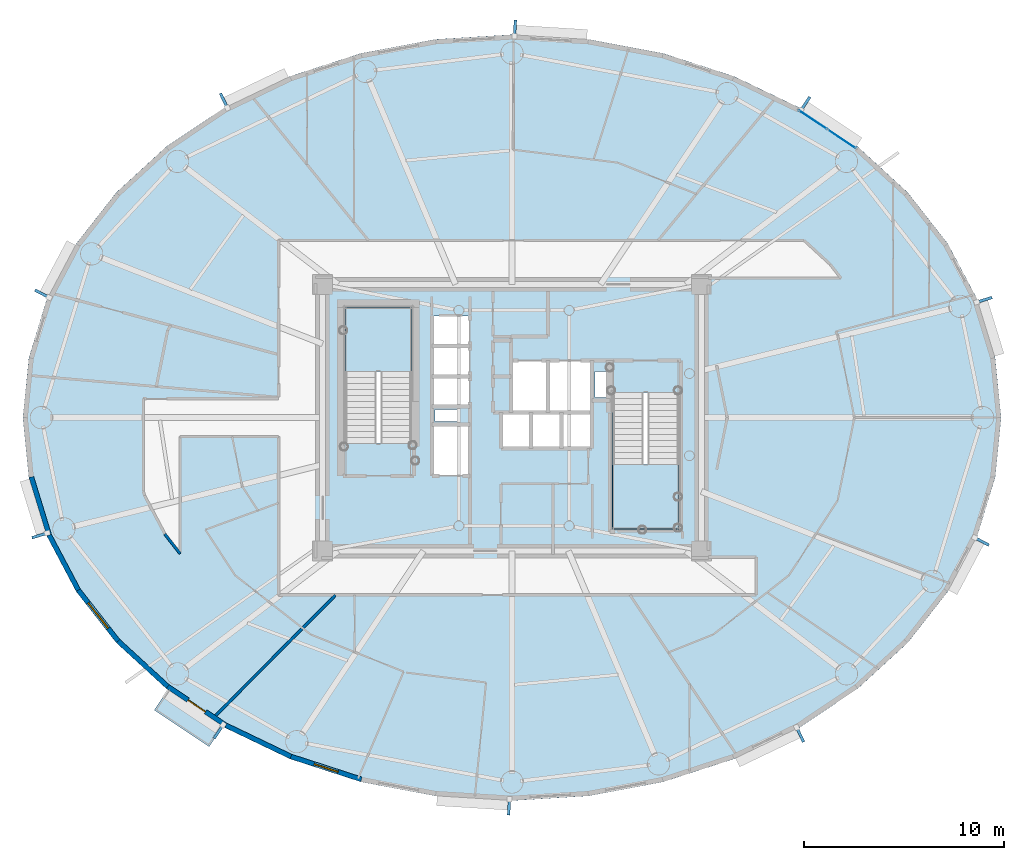
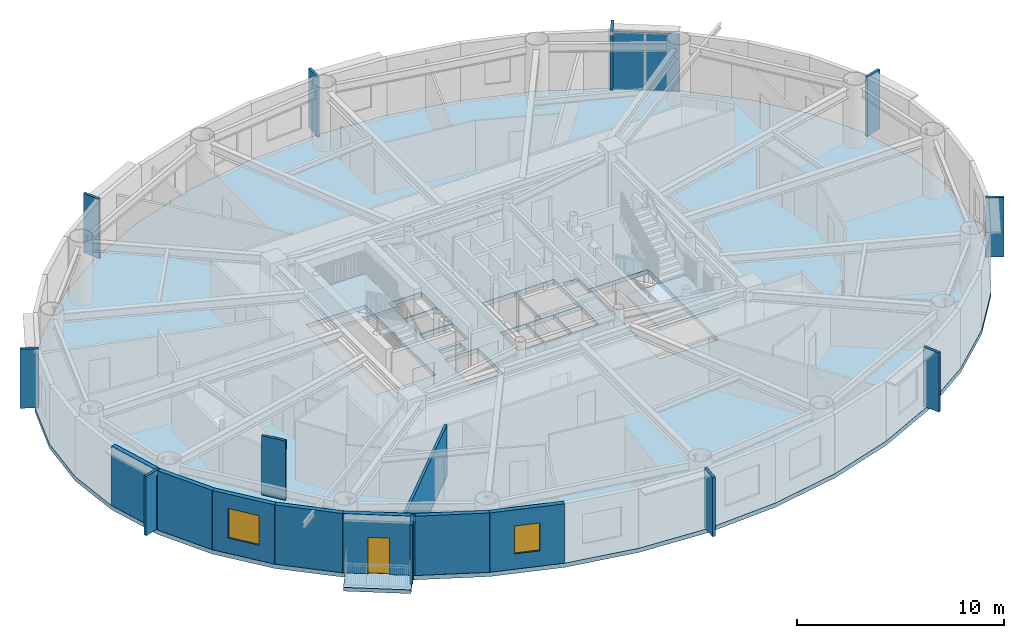
# One storey, part 6 of 18: 12 plates, 9 walls, 4 slabs, 2 windows, 1 door, 3 openings, 3 elements without a shape of their own.
"""IFC4 building model written with IfcOpenShell, lengths in metres."""

import ifcopenshell
import ifcopenshell.guid

model = None  # the IFC model being written
_history = None  # IfcOwnerHistory: only IFC2X3 demands one
_inside = {}  # id of a spatial element -> (the spatial element, [elements in it])
_under = {}  # id of a project, library or spatial element -> (it, [spatial elements below it])
_declared = {}  # id of a project -> (the project, [libraries it declares])
_typed = {}  # id of a type object -> (the type object, [elements of that type])
_made_of = {}  # id of a material, layer set ... -> (it, [elements and type objects made of it])


def new_model(schema):
    """Start an empty IFC model of exactly this schema.

    Asked for "IFC4X3", IfcOpenShell would pick the latest addendum, in which some entities
    have other attributes; the version numbers below select the first issue.
    IFC2X3 requires an IfcOwnerHistory on every rooted entity: one is made here for all.
    """
    global model, _history
    if schema == "IFC4X3":
        model = ifcopenshell.file(schema_version=(4, 3, 0, 0))
    else:
        model = ifcopenshell.file(schema=schema)
    _inside.clear()
    _under.clear()
    _declared.clear()
    _typed.clear()
    _made_of.clear()
    _history = None
    if model.schema == "IFC2X3":
        org = make("IfcOrganization", Name="unknown")
        user = make(
            "IfcPersonAndOrganization",
            ThePerson=make("IfcPerson", FamilyName="unknown"),
            TheOrganization=org,
        )
        app = make(
            "IfcApplication",
            ApplicationDeveloper=org,
            Version="unknown",
            ApplicationFullName="unknown",
            ApplicationIdentifier="unknown",
        )
        _history = make(
            "IfcOwnerHistory",
            OwningUser=user,
            OwningApplication=app,
            ChangeAction="ADDED",
            CreationDate=0,
        )
    return model


def make(cls, **values):
    """One entity of the class cls with the attributes given. An attribute that is None is left unset."""
    return model.create_entity(
        cls, **{name: value for name, value in values.items() if value is not None}
    )


def rooted(cls, **values):
    """An entity with a GlobalId (a new one), such as an element, a storey or a relation."""
    return make(cls, GlobalId=ifcopenshell.guid.new(), OwnerHistory=_history, **values)


def si_unit(unit_type, name, prefix=None):
    """IfcSIUnit, for example si_unit("LENGTHUNIT", "METRE", prefix="MILLI")."""
    return make("IfcSIUnit", UnitType=unit_type, Prefix=prefix, Name=name)


def assignment(units):
    """IfcUnitAssignment: the units of a project."""
    return None if units is None else make("IfcUnitAssignment", Units=units)


def point(xyz):
    """IfcCartesianPoint."""
    return None if xyz is None else make("IfcCartesianPoint", Coordinates=xyz)


def direction(xyz):
    """IfcDirection."""
    return None if xyz is None else make("IfcDirection", DirectionRatios=xyz)


def frame(location, z_axis=None, x_axis=None):
    """IfcAxis2Placement3D, a coordinate frame: its origin and axes. An axis left out is left unset."""
    return make(
        "IfcAxis2Placement3D",
        Location=point(location),
        Axis=direction(z_axis),
        RefDirection=direction(x_axis),
    )


def frame_2d(location, x_axis=None):
    """IfcAxis2Placement2D, a coordinate frame in the plane: its origin and x axis."""
    return make(
        "IfcAxis2Placement2D", Location=point(location), RefDirection=direction(x_axis)
    )


def origin():
    """The frame at (0, 0, 0) with its axes left unset."""
    return frame((0.0, 0.0, 0.0))


def origin_2d():
    """The frame at (0, 0) in the plane with its x axis left unset."""
    return frame_2d((0.0, 0.0))


def place(relative_to, where):
    """IfcLocalPlacement: puts the frame where relative to a parent placement (None: the world)."""
    return make(
        "IfcLocalPlacement", PlacementRelTo=relative_to, RelativePlacement=where
    )


def context(
    kind, dimensions, precision=None, world=None, true_north=None, identifier=None
):
    """IfcGeometricRepresentationContext, for example the 3D "Model" context."""
    return make(
        "IfcGeometricRepresentationContext",
        ContextIdentifier=identifier,
        ContextType=kind,
        CoordinateSpaceDimension=dimensions,
        Precision=precision,
        WorldCoordinateSystem=world,
        TrueNorth=true_north,
    )


def subcontext(parent, identifier, kind, view, scale=None):
    """IfcGeometricRepresentationSubContext, for example "Body" below "Model"."""
    return make(
        "IfcGeometricRepresentationSubContext",
        ContextIdentifier=identifier,
        ContextType=kind,
        ParentContext=parent,
        TargetScale=scale,
        TargetView=view,
    )


def project(units=None, contexts=None):
    """IfcProject with its units and contexts."""
    return rooted(
        "IfcProject",
        Name="project",
        RepresentationContexts=contexts,
        UnitsInContext=assignment(units),
    )


def spatial(cls, under=None, at=None, **own):
    """A site, building, storey or space (cls), placed at a placement, below another one or the project."""
    s = rooted(cls, ObjectPlacement=at, **own)
    if under is not None:
        _under.setdefault(under.id(), (under, []))[1].append(s)
    return s


def polyline(points):
    """IfcPolyline through the points."""
    return make("IfcPolyline", Points=[point(p) for p in points])


def profile(cls, at=None, kind="AREA", **sizes):
    """A parametric profile (cls). Its sizes go by their IFC names, for example OverallWidth=200.0."""
    return make(cls, ProfileType=kind, Position=at, **sizes)


def rectangle(**sizes):
    """IfcRectangleProfileDef."""
    return profile("IfcRectangleProfileDef", **sizes)


def outline(outer, holes=None, kind="AREA"):
    """IfcArbitraryClosedProfileDef: a profile drawn as a closed curve; with holes, ...WithVoids."""
    if holes is None:
        return make("IfcArbitraryClosedProfileDef", ProfileType=kind, OuterCurve=outer)
    return make(
        "IfcArbitraryProfileDefWithVoids",
        ProfileType=kind,
        OuterCurve=outer,
        InnerCurves=holes,
    )


def extrude(swept, where, along, depth):
    """IfcExtrudedAreaSolid: the profile swept, set in the frame where, extruded along a direction by depth."""
    return make(
        "IfcExtrudedAreaSolid",
        SweptArea=swept,
        Position=where,
        ExtrudedDirection=direction(along),
        Depth=depth,
    )


def shape(context_of_items, identifier, shape_type, items):
    """IfcShapeRepresentation: the items that make up one representation, for example the "Body"."""
    return make(
        "IfcShapeRepresentation",
        ContextOfItems=context_of_items,
        RepresentationIdentifier=identifier,
        RepresentationType=shape_type,
        Items=items,
    )


def source(mapping_origin, context_of_items, identifier, shape_type, items):
    """IfcRepresentationMap: a shape defined once, which mapped items show again and again."""
    return make(
        "IfcRepresentationMap",
        MappingOrigin=mapping_origin,
        MappedRepresentation=shape(context_of_items, identifier, shape_type, items),
    )


def transform(
    local_origin,
    x_axis=None,
    y_axis=None,
    z_axis=None,
    scale=None,
    scale2=None,
    scale3=None,
    uniform=True,
):
    """IfcCartesianTransformationOperator3D, or its non-uniform kind. x_axis, y_axis, z_axis: its Axis1, 2, 3."""
    if uniform:
        return make(
            "IfcCartesianTransformationOperator3D",
            Axis1=direction(x_axis),
            Axis2=direction(y_axis),
            LocalOrigin=point(local_origin),
            Scale=scale,
            Axis3=direction(z_axis),
        )
    return make(
        "IfcCartesianTransformationOperator3DnonUniform",
        Axis1=direction(x_axis),
        Axis2=direction(y_axis),
        LocalOrigin=point(local_origin),
        Scale=scale,
        Axis3=direction(z_axis),
        Scale2=scale2,
        Scale3=scale3,
    )


def mapped(mapping_source, mapping_target):
    """IfcMappedItem: shows the shape of a source again, moved by a transform."""
    return make(
        "IfcMappedItem", MappingSource=mapping_source, MappingTarget=mapping_target
    )


def material(Name=None, Category=None):
    """IfcMaterial."""
    return make("IfcMaterial", Name=Name, Category=Category)


def layer(
    of_material, thickness, ventilated=None, Name=None, Category=None, Priority=None
):
    """IfcMaterialLayer: one layer of a wall or slab, of a material (None: an air gap)."""
    return make(
        "IfcMaterialLayer",
        Material=of_material,
        LayerThickness=thickness,
        IsVentilated=ventilated,
        Name=Name,
        Category=Category,
        Priority=Priority,
    )


def layer_set(layers, Name=None):
    """IfcMaterialLayerSet."""
    return make("IfcMaterialLayerSet", MaterialLayers=layers, LayerSetName=Name)


def made_of(thing, what):
    """Note that an element or type object is made of a material, layer set ...; save() writes the relation."""
    if what is not None:
        _made_of.setdefault(what.id(), (what, []))[1].append(thing)
    return thing


def type_object(cls, material=None, **own):
    """A type object (cls), such as IfcWallType, which elements share."""
    return made_of(rooted(cls, **own), material)


def element(
    cls,
    number,
    at=None,
    inside=None,
    cuts=None,
    type_object=None,
    material=None,
    context=None,
    identifier="Body",
    shape_type=None,
    held_by="IfcProductDefinitionShape",
    body=None,
    shapes=None,
    **own,
):
    """One element of the class cls, such as IfcWall. Its Tag is "e" and its number.

    at: its placement. inside: the storey or other place that contains it. cuts: it is an
    opening in that element (IfcRelVoidsElement). A single representation is given by context,
    identifier, shape_type and body (its items); several are given by shapes. held_by: the class
    of the entity that holds the representations. save() writes the other relations.
    """
    e = rooted(cls, Tag="e%d" % number, ObjectPlacement=at, **own)
    if body is not None:
        shapes = [shape(context, identifier, shape_type, body)]
    if shapes is not None:
        e.Representation = make(held_by, Representations=shapes)
    if inside is not None:
        _inside.setdefault(inside.id(), (inside, []))[1].append(e)
    if cuts is not None:
        rooted(
            "IfcRelVoidsElement", RelatingBuildingElement=cuts, RelatedOpeningElement=e
        )
    if type_object is not None:
        _typed.setdefault(type_object.id(), (type_object, []))[1].append(e)
    return made_of(e, material)


def fill(opening, filler):
    """IfcRelFillsElement: the door or window that sits in an opening."""
    return rooted(
        "IfcRelFillsElement",
        RelatingOpeningElement=opening,
        RelatedBuildingElement=filler,
    )


def aggregate(whole, parts):
    """IfcRelAggregates: a whole, such as a stair, and the parts it consists of."""
    return rooted("IfcRelAggregates", RelatingObject=whole, RelatedObjects=parts)


def save(model, path):
    """Write the relations noted so far, then the file.

    IfcRelAggregates (storeys below a building ...), IfcRelContainedInSpatialStructure (elements
    in a storey), IfcRelDefinesByType, IfcRelAssociatesMaterial and IfcRelDeclares: one each for
    every whole, place, type object, material and project.
    """
    for whole, parts in _under.values():
        aggregate(whole, parts)
    for where, things in _inside.values():
        rooted(
            "IfcRelContainedInSpatialStructure",
            RelatedElements=things,
            RelatingStructure=where,
        )
    for kind, things in _typed.values():
        rooted("IfcRelDefinesByType", RelatedObjects=things, RelatingType=kind)
    for what, things in _made_of.values():
        rooted("IfcRelAssociatesMaterial", RelatedObjects=things, RelatingMaterial=what)
    for by, libraries in _declared.values():
        rooted("IfcRelDeclares", RelatingContext=by, RelatedDefinitions=libraries)
    model.write(path)


model = new_model("IFC4")

# Units and contexts
model_context = context("Model", 3, precision=1e-05, world=origin(), true_north=direction((0.0, 1.0)))
body_context = subcontext(model_context, "Body", "Model", "MODEL_VIEW")
ifc_project = project(units=[si_unit("LENGTHUNIT", "METRE"), si_unit("AREAUNIT", "SQUARE_METRE"), si_unit("VOLUMEUNIT", "CUBIC_METRE"), si_unit("PLANEANGLEUNIT", "RADIAN"), si_unit("MASSUNIT", "GRAM", prefix="KILO")], contexts=[model_context])

# Site, building, storey
site_placement = place(None, origin())
site = spatial("IfcSite", under=ifc_project, at=site_placement, CompositionType="ELEMENT")
building_placement = place(site_placement, origin())
building = spatial("IfcBuilding", under=site, at=building_placement, Name="Linh Dai School and Residence Tower", CompositionType="ELEMENT")
storey_placement = place(building_placement, frame((0.0, 0.0, 244.050048828125)))
storey = spatial("IfcBuildingStorey", under=building, at=storey_placement, Name="L60", CompositionType="ELEMENT", Elevation=244.050048828125)

# Slabs
ifc_material_1 = material(Name="Concrete B45 (C35/45)", Category="concrete")
ifc_layer_1 = layer(ifc_material_1, 0.219970703125)
ifc_layer_set_1 = layer_set([ifc_layer_1], Name="Concrete B45 (C35/45)")
slab_type_1 = type_object("IfcSlabType", Name="SLB-BALC-220", PredefinedType="FLOOR", material=ifc_layer_set_1)
slab_1_placement = place(storey_placement, frame((0.0, 0.0, -0.219970703125)))
element("IfcSlab", 1, at=slab_1_placement, inside=storey, type_object=slab_type_1, Name="L60 Sliding Balcony Slab 26", PredefinedType="FLOOR", context=body_context, shape_type="SweptSolid", body=[
    extrude(outline(polyline([(21.61181640625, 11.670654296875), (18.8818359375, 13.49609375), (18.1591796875, 12.41552734375), (20.88916015625, 10.58984375), (21.61181640625, 11.670654296875)])), origin(), (0.0, 0.0, 1.0), 0.219970703125),
])
ifc_layer_2 = layer(ifc_material_1, 0.25)
ifc_layer_set_2 = layer_set([ifc_layer_2], Name="Concrete B45 (C35/45)")
slab_type_2 = type_object("IfcSlabType", Name="SLB-FLR250", PredefinedType="FLOOR", material=ifc_layer_set_2)
slab_2_placement = place(storey_placement, frame((0.0, 0.0, -0.25)))
element("IfcSlab", 2, at=slab_2_placement, inside=storey, type_object=slab_type_2, Name="L60 Composite Structural Floor Slab", PredefinedType="FLOOR", context=body_context, shape_type="SweptSolid", body=[
    extrude(outline(polyline([(60.39990234375, 27.0), (60.099609375, 29.98876953125), (59.205810546875, 32.90380859375), (57.740478515625, 35.673583984375), (55.739990234375, 38.229736328125), (53.25341796875, 40.50927734375), (50.342041015625, 42.456298828125), (47.077392578125, 44.022705078125), (43.5400390625, 45.169921875), (39.81689453125, 45.869873046875), (36.0, 46.10498046875), (32.18310546875, 45.869873046875), (28.4599609375, 45.169921875), (24.922607421875, 44.022705078125), (21.657958984375, 42.456298828125), (18.74658203125, 40.50927734375), (16.260009765625, 38.229736328125), (14.259521484375, 35.673583984375), (12.794189453125, 32.90380859375), (11.900390625, 29.98876953125), (11.60009765625, 27.0), (11.900390625, 24.01123046875), (12.794189453125, 21.09619140625), (14.259521484375, 18.326416015625), (16.260009765625, 15.770263671875), (18.74658203125, 13.49072265625), (21.657958984375, 11.543701171875), (24.922607421875, 9.977294921875), (28.4599609375, 8.830078125), (32.18310546875, 8.130126953125), (36.0, 7.89501953125), (39.81689453125, 8.130126953125), (43.5400390625, 8.830078125), (47.077392578125, 9.977294921875), (50.342041015625, 11.543701171875), (53.25341796875, 13.49072265625), (55.739990234375, 15.770263671875), (57.740478515625, 18.326416015625), (59.205810546875, 21.09619140625), (60.099609375, 24.01123046875), (60.39990234375, 27.0)]), holes=[polyline([(30.97998046875, 25.699951171875), (30.97998046875, 32.5), (27.679931640625, 32.5), (27.679931640625, 25.699951171875), (30.97998046875, 25.699951171875)]), polyline([(41.02001953125, 28.25), (41.02001953125, 21.449951171875), (44.320068359375, 21.449951171875), (44.320068359375, 28.25), (41.02001953125, 28.25)]), polyline([(35.97998046875, 27.280029296875), (37.77001953125, 27.280029296875), (37.77001953125, 29.820068359375), (35.97998046875, 29.820068359375), (35.97998046875, 27.280029296875)]), polyline([(32.030029296875, 24.1298828125), (33.8701171875, 24.1298828125), (33.8701171875, 26.6201171875), (32.030029296875, 26.6201171875), (32.030029296875, 24.1298828125)]), polyline([(37.830078125, 27.280029296875), (39.969970703125, 27.280029296875), (39.969970703125, 29.820068359375), (37.830078125, 29.820068359375), (37.830078125, 27.280029296875)]), polyline([(32.030029296875, 27.580078125), (33.8701171875, 27.580078125), (33.8701171875, 29.030029296875), (32.030029296875, 29.030029296875), (32.030029296875, 27.580078125)]), polyline([(32.030029296875, 29.090087890625), (33.8701171875, 29.090087890625), (33.8701171875, 30.550048828125), (32.030029296875, 30.550048828125), (32.030029296875, 29.090087890625)]), polyline([(32.030029296875, 30.610107421875), (33.8701171875, 30.610107421875), (33.8701171875, 32.070068359375), (32.030029296875, 32.070068359375), (32.030029296875, 30.610107421875)]), polyline([(35.47998046875, 25.47998046875), (36.929931640625, 25.47998046875), (36.929931640625, 27.219970703125), (35.47998046875, 27.219970703125), (35.47998046875, 25.47998046875)]), polyline([(36.989990234375, 25.47998046875), (38.449951171875, 25.47998046875), (38.449951171875, 27.219970703125), (36.989990234375, 27.219970703125), (36.989990234375, 25.47998046875)]), polyline([(38.510009765625, 25.47998046875), (39.969970703125, 25.47998046875), (39.969970703125, 27.219970703125), (38.510009765625, 27.219970703125), (38.510009765625, 25.47998046875)]), polyline([(40.14990234375, 28.0), (40.14990234375, 29.300048828125), (41.0, 29.300048828125), (41.0, 28.280029296875), (40.989990234375, 28.280029296875), (40.989990234375, 28.0), (40.14990234375, 28.0)]), polyline([(32.14990234375, 26.800048828125), (33.35009765625, 26.800048828125), (33.35009765625, 27.39990234375), (32.14990234375, 27.39990234375), (32.14990234375, 26.800048828125)])]), origin(), (0.0, 0.0, 1.0), 0.25),
])

# Stair, slab
stair_type = type_object("IfcStairType", Name="ST-DOG-1550-R1442", PredefinedType="HALF_TURN_STAIR", material=ifc_material_1)
stair_1_placement = place(storey_placement, origin())
stair_1 = element("IfcStair", 3, at=stair_1_placement, inside=storey, type_object=stair_type, Name="L60 Core Smokeproof Exit Stair ST1", PredefinedType="HALF_TURN_STAIR")
ifc_layer_3 = layer(ifc_material_1, 0.199951171875)
ifc_layer_set_3 = layer_set([ifc_layer_3], Name="Concrete B45 (C35/45)")
slab_type_3 = type_object("IfcSlabType", Name="SLB-ST-LANDING-200", PredefinedType="LANDING", material=ifc_layer_set_3)
slab_3_placement = place(storey_placement, frame((0.0, 0.0, 1.675048828125)))
slab_3 = element("IfcSlab", 4, at=slab_3_placement, type_object=slab_type_3, Name="ST1 landing 1", PredefinedType="LANDING", context=body_context, shape_type="SweptSolid", body=[
    extrude(outline(polyline([(30.97998046875, 29.300048828125), (30.97998046875, 32.5), (27.679931640625, 32.5), (27.679931640625, 29.300048828125), (30.97998046875, 29.300048828125)])), origin(), (0.0, 0.0, 1.0), 0.199951171875),
])
aggregate(stair_1, [slab_3])

stair_2_placement = place(storey_placement, origin())
stair_2 = element("IfcStair", 5, at=stair_2_placement, inside=storey, type_object=stair_type, Name="L60 Core Smokeproof Exit Stair ST2", PredefinedType="HALF_TURN_STAIR")
slab_4_placement = place(storey_placement, frame((0.0, 0.0, 1.675048828125)))
slab_4 = element("IfcSlab", 6, at=slab_4_placement, type_object=slab_type_3, Name="ST2 landing 1", PredefinedType="LANDING", context=body_context, shape_type="SweptSolid", body=[
    extrude(outline(polyline([(41.02001953125, 24.64990234375), (41.02001953125, 21.449951171875), (44.320068359375, 21.449951171875), (44.320068359375, 24.64990234375), (41.02001953125, 24.64990234375)])), origin(), (0.0, 0.0, 1.0), 0.199951171875),
])
aggregate(stair_2, [slab_4])

# Plates
ifc_material_2 = material(Name="Precast Concrete B45 (C35/45)", Category="concrete")
ifc_layer_4 = layer(ifc_material_2, 0.139892578125)
ifc_layer_set_4 = layer_set([ifc_layer_4], Name="Precast Concrete B45 (C35/45)")
plate_type_1 = type_object("IfcPlateType", Name="FIN-TC-900x140", PredefinedType="USERDEFINED", material=ifc_layer_set_4)
shared_shape_1 = source(origin(), body_context, "Body", "SweptSolid", [
    extrude(rectangle(XDim=0.89990234375, YDim=0.139892578125, at=origin_2d()), origin(), (0.0, 0.0, 1.0), 3.5),
])
for number, where, z_axis, x_axis, name in (
    (7, (59.517578125, 32.861328125, 0.0), (0.0, 0.0, 1.0), (0.956064190994, 0.2931574026, 0.0), "L60 Precast Terracotta Radial Fin 02"),
    (8, (50.60791015625, 42.621826171875, 0.0), (0.0, 0.0, 1.0), (0.555887222025, 0.831257719597, 0.0), "L60 Precast Terracotta Radial Fin 06"),
    (9, (36.14501953125, 46.3818359375, 0.0), (0.0, 0.0, 1.0), (0.061504437922, 0.998106809974, 0.0), "L60 Precast Terracotta Radial Fin 10"),
    (10, (21.650634765625, 42.769287109375, 0.0), (0.0, 0.0, 1.0), (-0.432593941973, 0.901588864931, 0.0), "L60 Precast Terracotta Radial Fin 14"),
    (11, (12.603271484375, 33.153564453125, 0.0), (0.0, 0.0, 1.0), (-0.883928950783, 0.467621224891, 0.0), "L60 Precast Terracotta Radial Fin 18"),
    (12, (12.482421875, 21.138671875, 0.0), (0.0, 0.0, 1.0), (-0.956064190994, -0.2931574026, 0.0), "L60 Precast Terracotta Radial Fin 22"),
    (13, (21.39208984375, 11.378173828125, 0.0), (0.0, 0.0, 1.0), (-0.555887222025, -0.831257719597, 0.0), "L60 Precast Terracotta Radial Fin 26"),
    (14, (35.85498046875, 7.6181640625, 0.0), (0.0, 0.0, 1.0), (-0.061504437922, -0.998106809974, 0.0), "L60 Precast Terracotta Radial Fin 30"),
    (15, (50.349365234375, 11.230712890625, 0.0), (0.0, 0.0, 1.0), (0.432593941973, -0.901588864931, 0.0), "L60 Precast Terracotta Radial Fin 34"),
    (16, (59.396728515625, 20.846435546875, 0.0), (0.0, 0.0, 1.0), (0.883928950783, -0.467621224891, 0.0), "L60 Precast Terracotta Radial Fin 38"),
):
    element("IfcPlate", number, at=place(storey_placement, frame(where, z_axis=z_axis, x_axis=x_axis)), inside=storey, type_object=plate_type_1, Name=name, ObjectType="RADIAL FIN", PredefinedType="USERDEFINED", context=body_context, shape_type="MappedRepresentation", body=[
        mapped(shared_shape_1, transform((0.0, 0.0, 0.0), x_axis=(1.0, 0.0, 0.0), y_axis=(0.0, 1.0, 0.0), z_axis=(0.0, 0.0, 1.0), scale=1.0)),
    ])

# Curtain wall, plates
ifc_material_3 = material(Name="Aluminium Anodised Curtain Wall", Category="aluminium")
ifc_layer_5 = layer(ifc_material_3, 0.14990234375)
ifc_layer_set_5 = layer_set([ifc_layer_5], Name="Aluminium Anodised Curtain Wall")
curtain_wall_type = type_object("IfcCurtainWallType", Name="CW-SYS-4", PredefinedType="USERDEFINED", material=ifc_layer_set_5)
curtain_wall_placement = place(storey_placement, origin())
curtain_wall = element("IfcCurtainWall", 17, at=curtain_wall_placement, inside=storey, type_object=curtain_wall_type, Name="L60 CW4 Curtain Wall 06", ObjectType="RIBBON CURTAIN WALL", PredefinedType="USERDEFINED")
ifc_material_4 = material(Name="Double Low-E Insulated Glazing", Category="glass")
ifc_layer_6 = layer(ifc_material_4, 0.02587890625)
ifc_layer_set_6 = layer_set([ifc_layer_6], Name="Double Low-E Insulated Glazing")
plate_type_2 = type_object("IfcPlateType", Name="CW-SYS-4-PAN", PredefinedType="CURTAIN_PANEL", material=ifc_layer_set_6)
shared_shape_2 = source(origin(), body_context, "Body", "SweptSolid", [
    extrude(rectangle(XDim=1.6640625, YDim=0.02587890625, at=origin_2d()), origin(), (0.0, 0.0, 1.0), 3.39599609375),
])
plate_1_placement = place(storey_placement, frame((51.014892578125, 41.856201171875, 0.052001953125), z_axis=(0.0, 0.0, 1.0), x_axis=(0.831257719597, -0.555887222025, 0.0)))
plate_1 = element("IfcPlate", 18, at=plate_1_placement, type_object=plate_type_2, Name="CW4 panel 1.1", PredefinedType="CURTAIN_PANEL", context=body_context, shape_type="MappedRepresentation", body=[
    mapped(shared_shape_2, transform((0.0, 0.0, 0.0), x_axis=(1.0, 0.0, 0.0), y_axis=(0.0, 1.0, 0.0), z_axis=(0.0, 0.0, 1.0), scale=1.0)),
])
plate_2_placement = place(storey_placement, frame((52.44140625, 40.90234375, 0.052001953125), z_axis=(0.0, 0.0, 1.0), x_axis=(0.831257719597, -0.555887222025, 0.0)))
plate_2 = element("IfcPlate", 19, at=plate_2_placement, type_object=plate_type_2, Name="CW4 panel 2.1", PredefinedType="CURTAIN_PANEL", context=body_context, shape_type="MappedRepresentation", body=[
    mapped(shared_shape_2, transform((0.0, 0.0, 0.0), x_axis=(1.0, 0.0, 0.0), y_axis=(0.0, 1.0, 0.0), z_axis=(0.0, 0.0, 1.0), scale=1.0)),
])
aggregate(curtain_wall, [plate_1, plate_2])

# Walls
ifc_layer_7 = layer(ifc_material_2, 0.239990234375)
ifc_layer_set_7 = layer_set([ifc_layer_7], Name="Precast Concrete B45 (C35/45)")
wall_type_1 = type_object("IfcWallType", Name="EW-TC-240", PredefinedType="SOLIDWALL", material=ifc_layer_set_7)
wall_1_placement = place(storey_placement, frame((12.90966796875, 21.14404296875, 0.0), z_axis=(0.0, 0.0, 1.0), x_axis=(-0.293132907334, 0.95607170162, 0.0)))
element("IfcWall", 20, at=wall_1_placement, inside=storey, type_object=wall_type_1, Name="L60 Terracotta Exterior Wall 22", PredefinedType="SOLIDWALL", context=body_context, shape_type="SweptSolid", body=[
    extrude(rectangle(XDim=3.02490234375, YDim=0.239990234375, at=frame_2d((1.512451171875, 0.0))), origin(), (0.0, 0.0, 1.0), 3.5),
])
wall_2_placement = place(storey_placement, frame((14.3642578125, 18.394775390625, 0.0), z_axis=(0.0, 0.0, 1.0), x_axis=(-0.46766049993, 0.883908172157, 0.0)))
element("IfcWall", 21, at=wall_2_placement, inside=storey, type_object=wall_type_1, Name="L60 Terracotta Exterior Wall 23", PredefinedType="SOLIDWALL", context=body_context, shape_type="SweptSolid", body=[
    extrude(rectangle(XDim=3.1103515625, YDim=0.239990234375, at=frame_2d((1.55517578125, 0.0))), origin(), (0.0, 0.0, 1.0), 3.5),
])

# Wall, opening, window
wall_3_placement = place(storey_placement, frame((16.3515625, 15.85546875, 0.0), z_axis=(0.0, 0.0, 1.0), x_axis=(-0.616312344705, 0.787501805562, 0.0)))
wall_3 = element("IfcWall", 22, at=wall_3_placement, inside=storey, type_object=wall_type_1, Name="L60 Terracotta Exterior Wall 24", PredefinedType="SOLIDWALL", context=body_context, shape_type="SweptSolid", body=[
    extrude(rectangle(XDim=3.224609375, YDim=0.239990234375, at=frame_2d((1.6123046875, 0.0))), origin(), (0.0, 0.0, 1.0), 3.5),
])
opening_1_placement = place(wall_3_placement, frame((0.81201171875, 0.0, 0.89990234375)))
opening_1 = element("IfcOpeningElement", 23, at=opening_1_placement, cuts=wall_3, Name="Opening W2", PredefinedType="OPENING", context=body_context, shape_type="SweptSolid", body=[
    extrude(rectangle(XDim=1.60009765625, YDim=1.75, at=origin_2d()), frame((0.800048828125, 0.1298828125, 0.875), z_axis=(0.0, -1.0, 0.0), x_axis=(1.0, 0.0, 0.0)), (0.0, 0.0, 1.0), 0.260009765625),
])
window_type_1 = type_object("IfcWindowType", Name="WN-RES-1600x1750", PartitioningType="DOUBLE_PANEL_VERTICAL", PredefinedType="WINDOW", material=ifc_material_4)
shared_shape_3 = source(origin(), body_context, "Body", "SweptSolid", [
    extrude(rectangle(XDim=1.60009765625, YDim=1.75, at=origin_2d()), frame((0.800048828125, 0.030029296875, 0.875), z_axis=(0.0, -1.0, 0.0), x_axis=(1.0, 0.0, 0.0)), (0.0, 0.0, 1.0), 0.06005859375),
])
window_1_placement = place(opening_1_placement, origin())
window_1 = element("IfcWindow", 24, at=window_1_placement, inside=storey, type_object=window_type_1, Name="L60 Exterior Window 24.1", OverallHeight=1.75, OverallWidth=1.60009765625, PartitioningType="DOUBLE_PANEL_VERTICAL", PredefinedType="WINDOW", context=body_context, shape_type="MappedRepresentation", body=[
    mapped(shared_shape_3, transform((0.0, 0.0, 0.0), x_axis=(1.0, 0.0, 0.0), y_axis=(0.0, 1.0, 0.0), z_axis=(0.0, 0.0, 1.0), scale=1.0)),
])
fill(opening_1, window_1)

# Wall
wall_4_placement = place(storey_placement, frame((18.82373046875, 13.589111328125, 0.0), z_axis=(0.0, 0.0, 1.0), x_axis=(-0.737123922599, 0.675757591694, 0.0)))
element("IfcWall", 25, at=wall_4_placement, inside=storey, type_object=wall_type_1, Name="L60 Terracotta Exterior Wall 25", PredefinedType="SOLIDWALL", context=body_context, shape_type="SweptSolid", body=[
    extrude(rectangle(XDim=3.353759765625, YDim=0.239990234375, at=frame_2d((1.6767578125, 0.0))), origin(), (0.0, 0.0, 1.0), 3.5),
])

# Wall, opening, door
wall_5_placement = place(storey_placement, frame((21.719970703125, 11.65234375, 0.0), z_axis=(0.0, 0.0, 1.0), x_axis=(-0.831262496074, 0.555880079352, 0.0)))
wall_5 = element("IfcWall", 26, at=wall_5_placement, inside=storey, type_object=wall_type_1, Name="L60 Terracotta Exterior Wall 26", PredefinedType="SOLIDWALL", context=body_context, shape_type="SweptSolid", body=[
    extrude(rectangle(XDim=3.484130859375, YDim=0.239990234375, at=frame_2d((1.7421875, 0.0))), origin(), (0.0, 0.0, 1.0), 3.5),
])
opening_2_placement = place(wall_5_placement, frame((1.217041015625, 0.0, 0.0)))
opening_2 = element("IfcOpeningElement", 27, at=opening_2_placement, cuts=wall_5, Name="Opening BD1", PredefinedType="OPENING", context=body_context, shape_type="SweptSolid", body=[
    extrude(rectangle(XDim=1.050048828125, YDim=2.14990234375, at=origin_2d()), frame((0.52490234375, 0.1298828125, 1.074951171875), z_axis=(0.0, -1.0, 0.0), x_axis=(1.0, 0.0, 0.0)), (0.0, 0.0, 1.0), 0.260009765625),
])
ifc_material_5 = material(Name="Double-Glazed Balcony Door", Category="glass")
door_type = type_object("IfcDoorType", Name="DR-BALC-1050x2150", OperationType="NOTDEFINED", PredefinedType="DOOR", material=ifc_material_5)
shared_shape_4 = source(origin(), body_context, "Body", "SweptSolid", [
    extrude(rectangle(XDim=1.050048828125, YDim=2.14990234375, at=origin_2d()), frame((0.52490234375, 0.02490234375, 1.074951171875), z_axis=(0.0, -1.0, 0.0), x_axis=(1.0, 0.0, 0.0)), (0.0, 0.0, 1.0), 0.050048828125),
])
door_placement = place(opening_2_placement, origin())
door = element("IfcDoor", 28, at=door_placement, inside=storey, type_object=door_type, Name="L60 Glazed Balcony Door 26", OperationType="SINGLE_SWING_RIGHT", OverallHeight=2.14990234375, OverallWidth=1.050048828125, PredefinedType="DOOR", context=body_context, shape_type="MappedRepresentation", body=[
    mapped(shared_shape_4, transform((0.0, 0.0, 0.0), x_axis=(1.0, 0.0, 0.0), y_axis=(0.0, 1.0, 0.0), z_axis=(0.0, 0.0, 1.0), scale=1.0)),
])
fill(opening_2, door)

# Wall
wall_6_placement = place(storey_placement, frame((24.968994140625, 10.093505859375, 0.0), z_axis=(0.0, 0.0, 1.0), x_axis=(-0.901598104751, 0.432574684313, 0.0)))
element("IfcWall", 29, at=wall_6_placement, inside=storey, type_object=wall_type_1, Name="L60 Terracotta Exterior Wall 27", PredefinedType="SOLIDWALL", context=body_context, shape_type="SweptSolid", body=[
    extrude(rectangle(XDim=3.603515625, YDim=0.239990234375, at=frame_2d((1.8017578125, 0.0))), origin(), (0.0, 0.0, 1.0), 3.5),
])

# Wall, opening, window
wall_7_placement = place(storey_placement, frame((28.49072265625, 8.951171875, 0.0), z_axis=(0.0, 0.0, 1.0), x_axis=(-0.951210789182, 0.308541787354, 0.0)))
wall_7 = element("IfcWall", 30, at=wall_7_placement, inside=storey, type_object=wall_type_1, Name="L60 Terracotta Exterior Wall 28", PredefinedType="SOLIDWALL", context=body_context, shape_type="SweptSolid", body=[
    extrude(rectangle(XDim=3.702392578125, YDim=0.239990234375, at=frame_2d((1.85107421875, 0.0))), origin(), (0.0, 0.0, 1.0), 3.5),
])
opening_3_placement = place(wall_7_placement, frame((1.226318359375, 0.0, 0.89990234375)))
opening_3 = element("IfcOpeningElement", 31, at=opening_3_placement, cuts=wall_7, Name="Opening W3", PredefinedType="OPENING", context=body_context, shape_type="SweptSolid", body=[
    extrude(rectangle(XDim=1.25, YDim=1.64990234375, at=origin_2d()), frame((0.625, 0.1298828125, 0.824951171875), z_axis=(0.0, -1.0, 0.0), x_axis=(1.0, 0.0, 0.0)), (0.0, 0.0, 1.0), 0.260009765625),
])
window_type_2 = type_object("IfcWindowType", Name="WN-RES-1250x1650", PartitioningType="SINGLE_PANEL", PredefinedType="WINDOW", material=ifc_material_4)
shared_shape_5 = source(origin(), body_context, "Body", "SweptSolid", [
    extrude(rectangle(XDim=1.25, YDim=1.64990234375, at=origin_2d()), frame((0.625, 0.030029296875, 0.824951171875), z_axis=(0.0, -1.0, 0.0), x_axis=(1.0, 0.0, 0.0)), (0.0, 0.0, 1.0), 0.06005859375),
])
window_2_placement = place(opening_3_placement, origin())
window_2 = element("IfcWindow", 32, at=window_2_placement, inside=storey, type_object=window_type_2, Name="L60 Dwelling Window U6002-BD1", OverallHeight=1.64990234375, OverallWidth=1.25, PartitioningType="SINGLE_PANEL", PredefinedType="WINDOW", context=body_context, shape_type="MappedRepresentation", body=[
    mapped(shared_shape_5, transform((0.0, 0.0, 0.0), x_axis=(1.0, 0.0, 0.0), y_axis=(0.0, 1.0, 0.0), z_axis=(0.0, 0.0, 1.0), scale=1.0)),
])
fill(opening_3, window_2)

# Walls
ifc_material_6 = material(Name="Autoclaved Aerated Concrete Blockwork", Category="masonry")
ifc_layer_8 = layer(ifc_material_6, 0.135009765625)
ifc_layer_set_8 = layer_set([ifc_layer_8], Name="Autoclaved Aerated Concrete Blockwork")
wall_type_2 = type_object("IfcWallType", Name="IW-CORR-135-EI90", PredefinedType="PARTITIONING", material=ifc_layer_set_8)
wall_8_placement = place(storey_placement, frame((18.6806640625, 21.1943359375, 0.0), z_axis=(0.0, 0.0, 1.0), x_axis=(0.616239706802, -0.787558647823, 0.0)))
element("IfcWall", 33, at=wall_8_placement, inside=storey, type_object=wall_type_2, Name="L60 Interior Partition Wall 008", PredefinedType="PARTITIONING", context=body_context, shape_type="SweptSolid", body=[
    extrude(rectangle(XDim=1.248291015625, YDim=0.135009765625, at=frame_2d((0.6240234375, 0.0))), origin(), (0.0, 0.0, 1.0), 3.5),
])
wall_9_placement = place(storey_placement, frame((21.124267578125, 12.044677734375, 0.0), z_axis=(0.0, 0.0, 1.0), x_axis=(0.70521888308, 0.708989652215, 0.0)))
element("IfcWall", 34, at=wall_9_placement, inside=storey, type_object=wall_type_2, Name="L60 Interior Partition Wall 014", PredefinedType="PARTITIONING", context=body_context, shape_type="SweptSolid", body=[
    extrude(rectangle(XDim=8.611083984375, YDim=0.135009765625, at=frame_2d((4.3056640625, 0.0))), origin(), (0.0, 0.0, 1.0), 2.98486328125),
])

save(model, "model.ifc")
